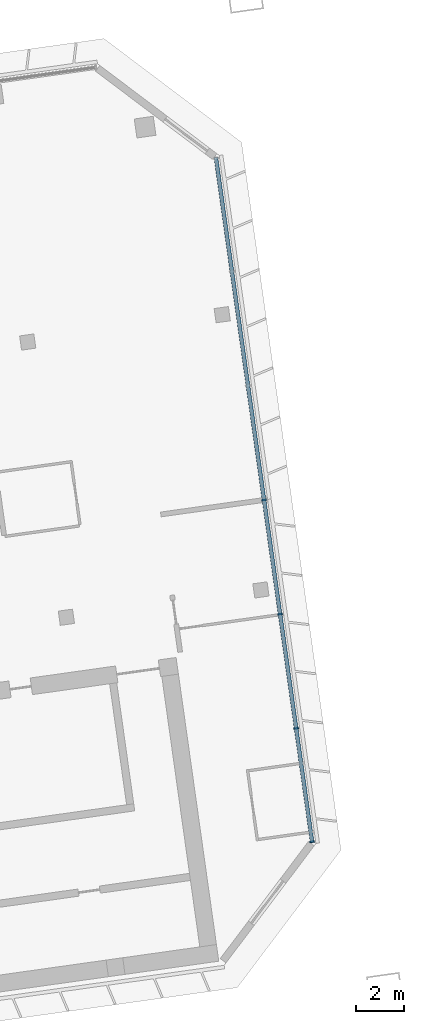
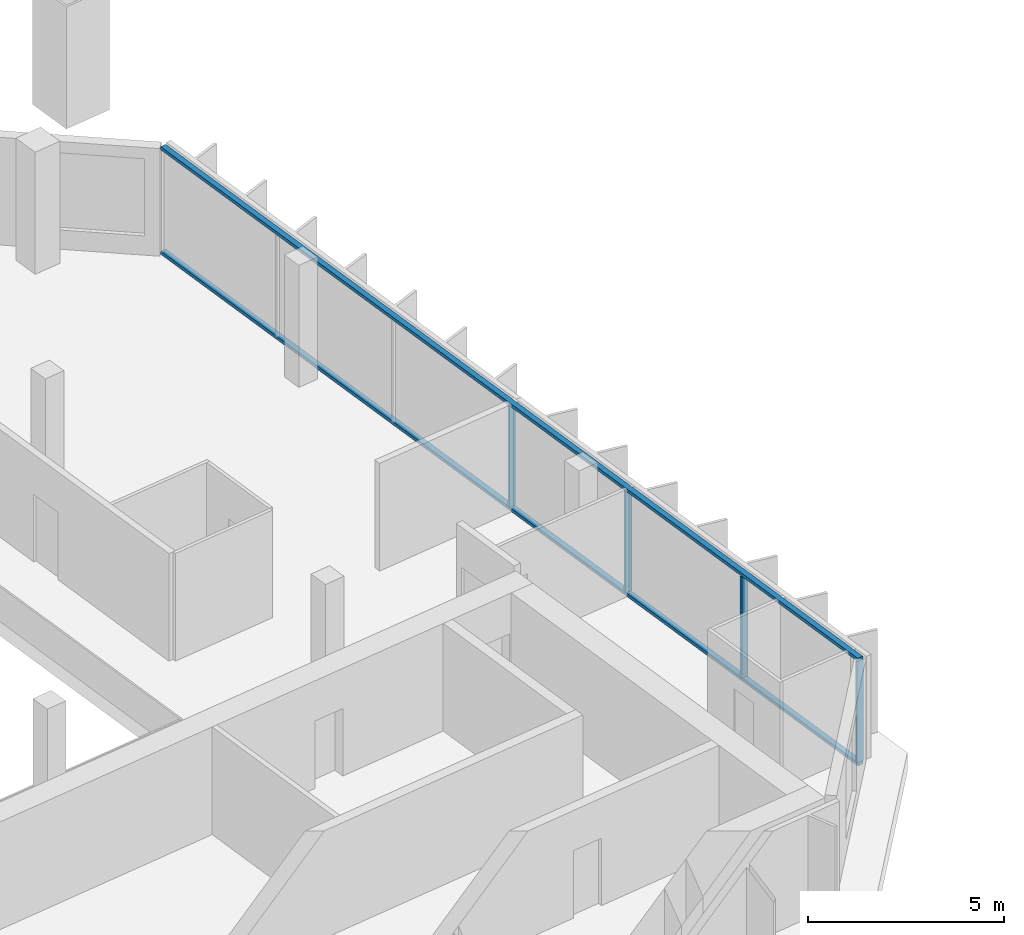
# One storey, part 8 of 23: 6 members, 1 element without a shape of its own.
"""IFC4 building model written with IfcOpenShell, lengths in metres."""

from ifc_helpers import new_model, si_unit, direction, frame, origin, origin_2d, place, context, subcontext, project, spatial, rectangle, extrude, material, material_profile, profile_set, type_object, element, aggregate, save


model = new_model("IFC4")

# Units and contexts
model_context = context("Model", 3, precision=1e-05, world=origin(), true_north=direction((0.0, 1.0)))
body_context = subcontext(model_context, "Body", "Model", "MODEL_VIEW")
ifc_project = project(units=[si_unit("LENGTHUNIT", "METRE"), si_unit("AREAUNIT", "SQUARE_METRE"), si_unit("VOLUMEUNIT", "CUBIC_METRE"), si_unit("PLANEANGLEUNIT", "RADIAN"), si_unit("MASSUNIT", "GRAM", prefix="KILO")], contexts=[model_context])

# Site, building, storey
site_placement = place(None, origin())
site = spatial("IfcSite", under=ifc_project, at=site_placement, CompositionType="ELEMENT")
building_placement = place(site_placement, origin())
building = spatial("IfcBuilding", under=site, at=building_placement, Name="Mirante Cascada Hotel Towers", CompositionType="ELEMENT")
storey_placement = place(building_placement, frame((0.0, 0.0, 199.2)))
storey = spatial("IfcBuildingStorey", under=building, at=storey_placement, Name="L47", CompositionType="ELEMENT", Elevation=199.2)

# Curtain wall, members
ifc_material_1 = material(Name="Aluminium mullion and transom frame with clear laminated glass", Category="aluminium")
curtain_wall_type = type_object("IfcCurtainWallType", Name="End ribbon curtain wall ECW2", PredefinedType="NOTDEFINED", material=ifc_material_1)
curtain_wall_placement = place(storey_placement, origin())
curtain_wall = element("IfcCurtainWall", 1, at=curtain_wall_placement, inside=storey, type_object=curtain_wall_type, Name="Outer end wall T2 L47", PredefinedType="NOTDEFINED")
ifc_material_2 = material(Name="Anodised aluminium extrusion", Category="aluminium")
ifc_material_profile_1 = material_profile(ifc_material_2, rectangle(XDim=0.2, YDim=0.065, at=origin_2d()), Name="ECW2 MULLION 65x200")
ifc_profile_set_1 = profile_set([ifc_material_profile_1], Name="Anodised aluminium extrusion")
member_type_1 = type_object("IfcMemberType", Name="ECW2 mullion 65x200", PredefinedType="MULLION", material=ifc_profile_set_1)
member_1_placement = place(storey_placement, frame((85.3308, -8.7707, 0.1), z_axis=(0.0, 0.0, 1.0), x_axis=(-0.9902681, -0.1391731, 0.0)))
member_1 = element("IfcMember", 2, at=member_1_placement, type_object=member_type_1, Name="ECW2 mullion 1", PredefinedType="MULLION", context=body_context, shape_type="SweptSolid", body=[
    extrude(rectangle(XDim=0.2, YDim=0.065, at=origin_2d()), origin(), (0.0, 0.0, 1.0), 3.15),
])
member_2_placement = place(storey_placement, frame((84.6655, -4.0371, 0.1), z_axis=(0.0, 0.0, 1.0), x_axis=(-0.9902681, -0.1391731, 0.0)))
member_2 = element("IfcMember", 3, at=member_2_placement, type_object=member_type_1, Name="ECW2 mullion 2", PredefinedType="MULLION", context=body_context, shape_type="SweptSolid", body=[
    extrude(rectangle(XDim=0.2, YDim=0.065, at=origin_2d()), origin(), (0.0, 0.0, 1.0), 3.15),
])
member_3_placement = place(storey_placement, frame((83.9957, 0.7287, 0.1), z_axis=(0.0, 0.0, 1.0), x_axis=(-0.9902681, -0.1391731, 0.0)))
member_3 = element("IfcMember", 4, at=member_3_placement, type_object=member_type_1, Name="ECW2 mullion 3", PredefinedType="MULLION", context=body_context, shape_type="SweptSolid", body=[
    extrude(rectangle(XDim=0.2, YDim=0.065, at=origin_2d()), origin(), (0.0, 0.0, 1.0), 3.15),
])
member_4_placement = place(storey_placement, frame((83.3259, 5.4945, 0.1), z_axis=(0.0, 0.0, 1.0), x_axis=(-0.9902681, -0.1391731, 0.0)))
member_4 = element("IfcMember", 5, at=member_4_placement, type_object=member_type_1, Name="ECW2 mullion 4", PredefinedType="MULLION", context=body_context, shape_type="SweptSolid", body=[
    extrude(rectangle(XDim=0.2, YDim=0.065, at=origin_2d()), origin(), (0.0, 0.0, 1.0), 3.15),
])
ifc_material_3 = material(Name="Anodised aluminium extrusion", Category="aluminium")
ifc_material_profile_2 = material_profile(ifc_material_3, rectangle(XDim=0.16, YDim=0.1, at=origin_2d()), Name="ECW2 TRANSOM 100x160")
ifc_profile_set_2 = profile_set([ifc_material_profile_2], Name="Anodised aluminium extrusion")
member_type_2 = type_object("IfcMemberType", Name="ECW2 transom 100x160", PredefinedType="USERDEFINED", material=ifc_profile_set_2)
member_5_placement = place(storey_placement, frame((85.3353, -8.8029, 0.05), z_axis=(-0.1391723, 0.9902682, 0.0), x_axis=(-0.9902682, -0.1391723, 0.0)))
member_5 = element("IfcMember", 6, at=member_5_placement, type_object=member_type_2, Name="ECW2 sill transom", ObjectType="TRANSOM", PredefinedType="USERDEFINED", context=body_context, shape_type="SweptSolid", body=[
    extrude(rectangle(XDim=0.16, YDim=0.1, at=origin_2d()), origin(), (0.0, 0.0, 1.0), 28.8757),
])
member_6_placement = place(storey_placement, frame((85.3353, -8.8029, 3.3), z_axis=(-0.1391723, 0.9902682, 0.0), x_axis=(-0.9902682, -0.1391723, 0.0)))
member_6 = element("IfcMember", 7, at=member_6_placement, type_object=member_type_2, Name="ECW2 head transom", ObjectType="TRANSOM", PredefinedType="USERDEFINED", context=body_context, shape_type="SweptSolid", body=[
    extrude(rectangle(XDim=0.16, YDim=0.1, at=origin_2d()), origin(), (0.0, 0.0, 1.0), 28.8757),
])
aggregate(curtain_wall, [member_5, member_6, member_1, member_2, member_3, member_4])

save(model, "model.ifc")
